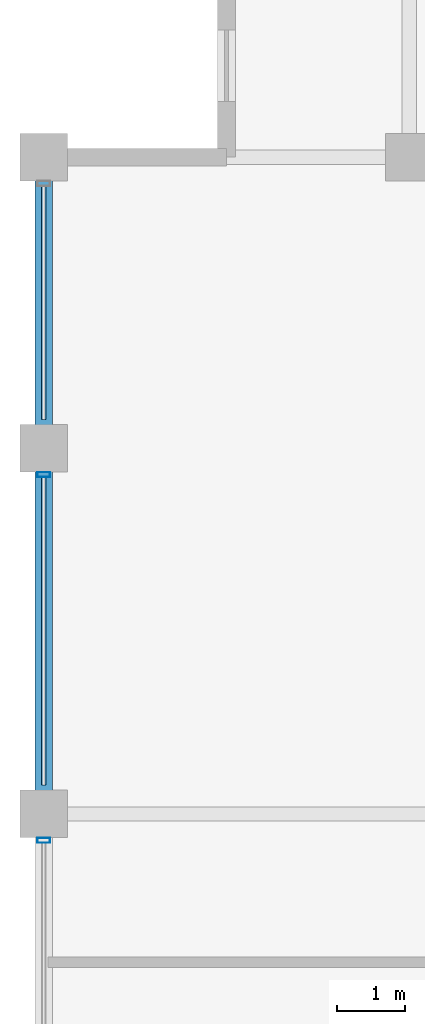
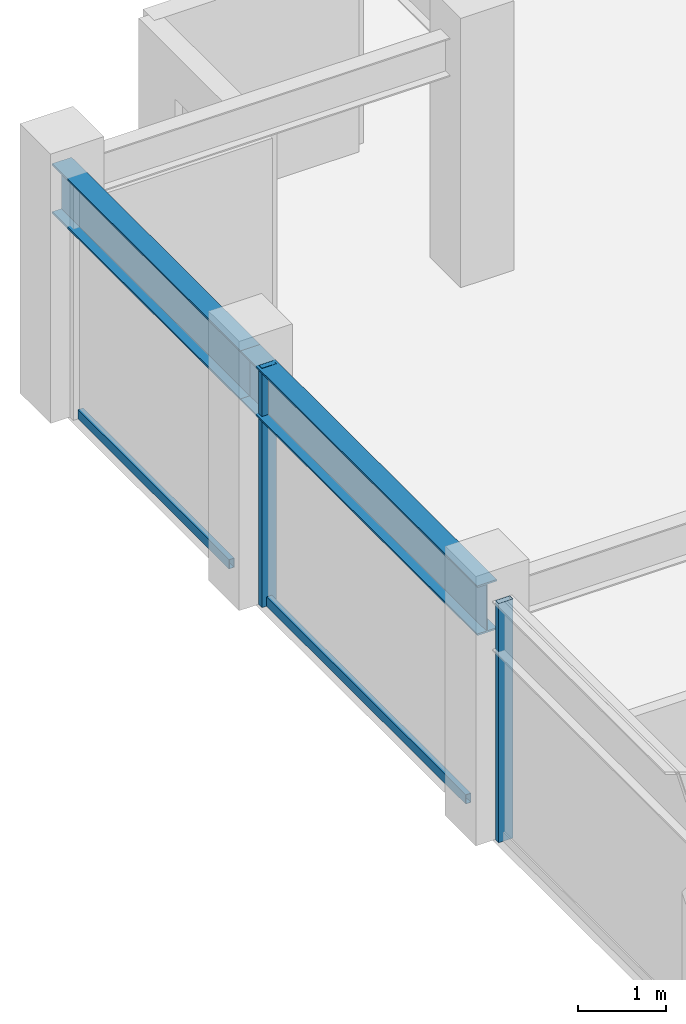
# One storey, part 14 of 31: 4 members, 2 beams, 1 element without a shape of its own.
"""IFC4 building model written with IfcOpenShell, lengths in metres."""

from ifc_helpers import new_model, si_unit, direction, frame, origin, origin_2d, place, context, subcontext, project, spatial, hollow_rectangle, i_section, extrude, material, layer, layer_set, material_profile, profile_set, type_object, element, aggregate, save


model = new_model("IFC4")

# Units and contexts
model_context = context("Model", 3, precision=1e-05, world=origin(), true_north=direction((0.0, 1.0)))
body_context = subcontext(model_context, "Body", "Model", "MODEL_VIEW")
ifc_project = project(units=[si_unit("LENGTHUNIT", "METRE"), si_unit("AREAUNIT", "SQUARE_METRE"), si_unit("VOLUMEUNIT", "CUBIC_METRE"), si_unit("PLANEANGLEUNIT", "RADIAN"), si_unit("MASSUNIT", "GRAM", prefix="KILO")], contexts=[model_context])

# Site, building, storey
site_placement = place(None, origin())
site = spatial("IfcSite", under=ifc_project, at=site_placement, CompositionType="ELEMENT")
building_placement = place(site_placement, origin())
building = spatial("IfcBuilding", under=site, at=building_placement, Name="Surkhivell Harbour Commons", CompositionType="ELEMENT")
storey_placement = place(building_placement, frame((0.0, 0.0, 333.75)))
storey = spatial("IfcBuildingStorey", under=building, at=storey_placement, Name="L87", CompositionType="ELEMENT", Elevation=333.75)

# Beams
ifc_material_1 = material(Name="Steel S355", Category="steel")
ifc_material_profile_1 = material_profile(ifc_material_1, i_section(OverallWidth=0.256103515625, OverallDepth=0.693115234375, WebThickness=0.014404296875, FlangeThickness=0.023681640625, at=origin_2d()), Name="UB686x254x170")
ifc_profile_set_1 = profile_set([ifc_material_profile_1], Name="Steel S355")
beam_type = type_object("IfcBeamType", Name="BM-SPN-686", PredefinedType="SPANDREL", material=ifc_profile_set_1)
beam_1_placement = place(storey_placement, frame((-27.0, 10.800048828125, 2.9833984375), z_axis=(0.0, 1.0, 0.0), x_axis=(-1.0, 0.0, 0.0)))
element("IfcBeam", 1, at=beam_1_placement, inside=storey, type_object=beam_type, Name="L87 Tube Spandrel (-27.0,10.8)", PredefinedType="SPANDREL", context=body_context, shape_type="SweptSolid", body=[
    extrude(i_section(OverallWidth=0.256103515625, OverallDepth=0.693115234375, WebThickness=0.014404296875, FlangeThickness=0.023681640625, at=origin_2d()), origin(), (0.0, 0.0, 1.0), 5.39990234375),
])
beam_2_placement = place(storey_placement, frame((-27.0, 16.199951171875, 2.9833984375), z_axis=(0.0, 1.0, 0.0), x_axis=(-1.0, 0.0, 0.0)))
element("IfcBeam", 2, at=beam_2_placement, inside=storey, type_object=beam_type, Name="L87 Tube Spandrel (-27.0,16.2)", PredefinedType="SPANDREL", context=body_context, shape_type="SweptSolid", body=[
    extrude(i_section(OverallWidth=0.256103515625, OverallDepth=0.693115234375, WebThickness=0.014404296875, FlangeThickness=0.023681640625, at=origin_2d()), origin(), (0.0, 0.0, 1.0), 4.300048828125),
])

# Curtain wall, members
ifc_material_2 = material(Name="Anodised pale-metal aluminium and insulated glazing", Category="aluminium")
ifc_layer = layer(ifc_material_2, 0.175048828125)
ifc_layer_set = layer_set([ifc_layer], Name="Anodised pale-metal aluminium and insulated glazing")
curtain_wall_type = type_object("IfcCurtainWallType", Name="CW-SYS-Z4", PredefinedType="NOTDEFINED", material=ifc_layer_set)
curtain_wall_placement = place(storey_placement, origin())
curtain_wall = element("IfcCurtainWall", 3, at=curtain_wall_placement, inside=storey, type_object=curtain_wall_type, Name="L87 Curtain Wall CW-L87-E12S1", PredefinedType="NOTDEFINED")
ifc_material_3 = material(Name="Anodised pale-metal aluminium alloy 6063-T6", Category="aluminium")
ifc_material_profile_2 = material_profile(ifc_material_3, hollow_rectangle(XDim=0.074951171875, YDim=0.18994140625, WallThickness=0.00390625, at=origin_2d()), Name="ALU-MULL-75x190")
ifc_profile_set_2 = profile_set([ifc_material_profile_2], Name="Anodised pale-metal aluminium alloy 6063-T6")
member_type_1 = type_object("IfcMemberType", Name="CWM-190", PredefinedType="MULLION", material=ifc_profile_set_2)
member_1_placement = place(storey_placement, frame((-27.0, 15.810546875, 0.0), z_axis=(0.0, 0.0, 1.0), x_axis=(0.0, -1.0, 0.0)))
member_1 = element("IfcMember", 4, at=member_1_placement, type_object=member_type_1, Name="CW-Z4 mullion 2", PredefinedType="MULLION", context=body_context, shape_type="SweptSolid", body=[
    extrude(hollow_rectangle(XDim=0.074951171875, YDim=0.18994140625, WallThickness=0.00390625, at=origin_2d()), origin(), (0.0, 0.0, 1.0), 3.330078125),
])
member_2_placement = place(storey_placement, frame((-27.0, 10.410400390625, 0.0), z_axis=(0.0, 0.0, 1.0), x_axis=(0.0, -1.0, 0.0)))
member_2 = element("IfcMember", 5, at=member_2_placement, type_object=member_type_1, Name="CW-Z4 mullion 3", PredefinedType="MULLION", context=body_context, shape_type="SweptSolid", body=[
    extrude(hollow_rectangle(XDim=0.074951171875, YDim=0.18994140625, WallThickness=0.00390625, at=origin_2d()), origin(), (0.0, 0.0, 1.0), 3.330078125),
])
ifc_material_4 = material(Name="Champagne anodised aluminium alloy 6063-T6", Category="aluminium")
ifc_material_profile_3 = material_profile(ifc_material_4, hollow_rectangle(XDim=0.070068359375, YDim=0.1298828125, WallThickness=0.00341796875, at=origin_2d()), Name="ALU-TRAN-70x130")
ifc_profile_set_3 = profile_set([ifc_material_profile_3], Name="Champagne anodised aluminium alloy 6063-T6")
member_type_2 = type_object("IfcMemberType", Name="CWT-130", PredefinedType="USERDEFINED", material=ifc_profile_set_3)
member_3_placement = place(storey_placement, frame((-27.0, 20.072998046875, 0.06494140625), z_axis=(0.0, -1.0, 0.0), x_axis=(1.0, 0.0, 0.0)))
member_3 = element("IfcMember", 6, at=member_3_placement, type_object=member_type_2, Name="CW-Z4 transom 1.1", ObjectType="TRANSOM", PredefinedType="USERDEFINED", context=body_context, shape_type="SweptSolid", body=[
    extrude(hollow_rectangle(XDim=0.070068359375, YDim=0.1298828125, WallThickness=0.00341796875, at=origin_2d()), origin(), (0.0, 0.0, 1.0), 3.446044921875),
])
member_4_placement = place(storey_placement, frame((-27.0, 15.77294921875, 0.06494140625), z_axis=(0.0, -1.0, 0.0), x_axis=(1.0, 0.0, 0.0)))
member_4 = element("IfcMember", 7, at=member_4_placement, type_object=member_type_2, Name="CW-Z4 transom 2.1", ObjectType="TRANSOM", PredefinedType="USERDEFINED", context=body_context, shape_type="SweptSolid", body=[
    extrude(hollow_rectangle(XDim=0.070068359375, YDim=0.1298828125, WallThickness=0.00341796875, at=origin_2d()), origin(), (0.0, 0.0, 1.0), 4.5458984375),
])
aggregate(curtain_wall, [member_3, member_1, member_4, member_2])

save(model, "model.ifc")
